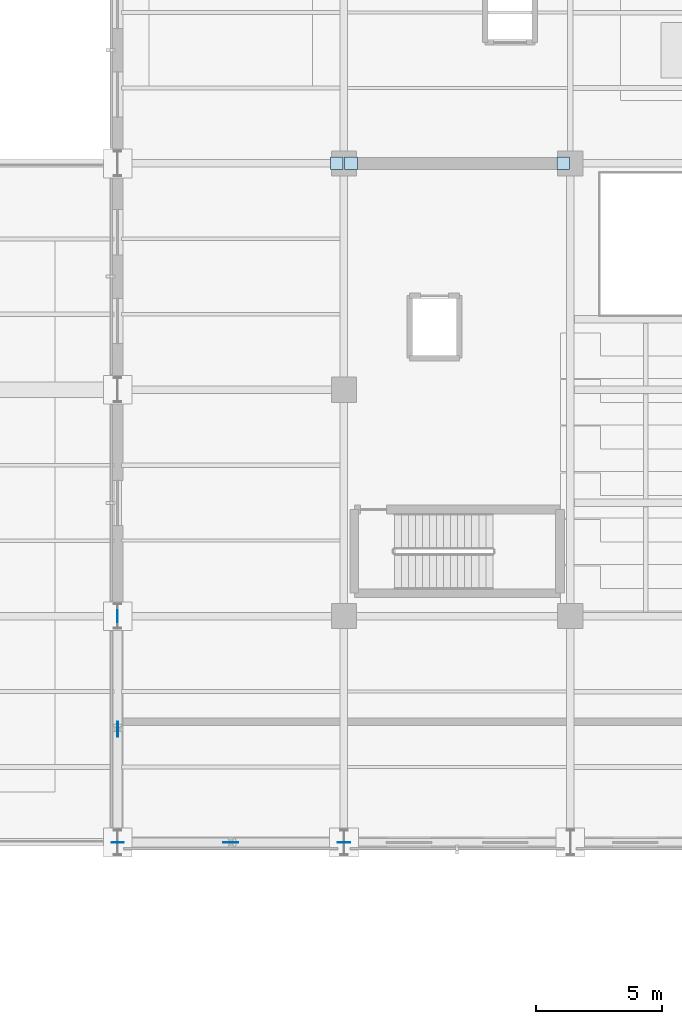
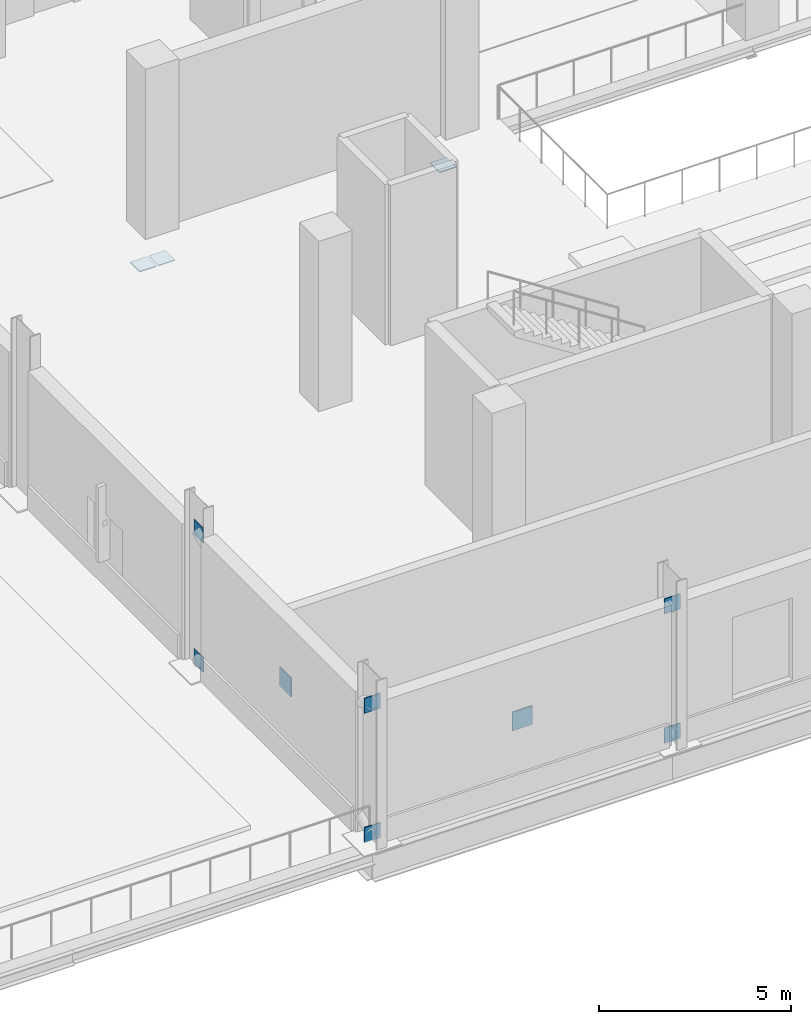
# One storey, part 106 of 141: 11 plates.
"""IFC4 building model written with IfcOpenShell, lengths in metres."""

from ifc_helpers import new_model, si_unit, direction, frame, origin, origin_2d, place, context, subcontext, project, spatial, rectangle, extrude, material, layer, layer_set, type_object, element, save


model = new_model("IFC4")

# Units and contexts
model_context = context("Model", 3, precision=1e-05, world=origin(), true_north=direction((0.0, 1.0)))
body_context = subcontext(model_context, "Body", "Model", "MODEL_VIEW")
ifc_project = project(units=[si_unit("LENGTHUNIT", "METRE"), si_unit("AREAUNIT", "SQUARE_METRE"), si_unit("VOLUMEUNIT", "CUBIC_METRE"), si_unit("PLANEANGLEUNIT", "RADIAN"), si_unit("MASSUNIT", "GRAM", prefix="KILO")], contexts=[model_context])

# Site, building, storey
site_placement = place(None, origin())
site = spatial("IfcSite", under=ifc_project, at=site_placement, CompositionType="ELEMENT")
building_placement = place(site_placement, origin())
building = spatial("IfcBuilding", under=site, at=building_placement, Name="Sundgate Opera House", CompositionType="ELEMENT")
storey_placement = place(building_placement, frame((0.0, 0.0, 11.39990234375)))
storey = spatial("IfcBuildingStorey", under=building, at=storey_placement, Name="L02", CompositionType="ELEMENT", Elevation=11.39990234375)

# Plates
ifc_material_1 = material(Name="Steel S355J2", Category="steel")
ifc_layer_1 = layer(ifc_material_1, 0.02490234375)
ifc_layer_set_1 = layer_set([ifc_layer_1], Name="Steel S355J2")
plate_type_1 = type_object("IfcPlateType", Name="PT-EMB-25", PredefinedType="USERDEFINED", material=ifc_layer_set_1)
for number, where, z_axis, x_axis, name in (
    (1, (35.719970703125, 60.0, -1.1748046875), (0.0, 0.0, 1.0), (1.0, 0.0, 0.0), "L02 Outrigger Core Wall Cast-In Embedment Plate PT0452"),
    (2, (36.280029296875, 60.0, -1.1748046875), (0.0, 0.0, 1.0), (1.0, 0.0, 0.0), "L02 Outrigger Core Wall Cast-In Embedment Plate PT0453"),
    (3, (44.719970703125, 60.0, -1.1748046875), (0.0, 0.0, 1.0), (1.0, 0.0, 0.0), "L02 Outrigger Core Wall Cast-In Embedment Plate PT0454"),
):
    element("IfcPlate", number, at=place(storey_placement, frame(where, z_axis=z_axis, x_axis=x_axis)), inside=storey, type_object=plate_type_1, Name=name, ObjectType="BASE PLATE", PredefinedType="USERDEFINED", context=body_context, shape_type="SweptSolid", body=[
        extrude(rectangle(XDim=0.5, YDim=0.5, at=origin_2d()), origin(), (0.0, 0.0, 1.0), 0.02490234375),
    ])
ifc_material_2 = material(Name="Steel S355J2", Category="steel")
ifc_layer_2 = layer(ifc_material_2, 0.028076171875)
ifc_layer_set_2 = layer_set([ifc_layer_2], Name="Steel S355J2")
plate_type_2 = type_object("IfcPlateType", Name="PT-GUS-28", PredefinedType="USERDEFINED", material=ifc_layer_set_2)
for number, where, z_axis, x_axis, name in (
    (4, (27.0, 33.0, 0.010009765625), (0.0, 0.0, 1.0), (1.0, 0.0, 0.0), "L02 Belt-Truss End Gusset"),
    (5, (36.0, 33.0, 4.110107421875), (0.0, 0.0, 1.0), (1.0, 0.0, 0.0), "L02 Belt-Truss End Gusset"),
    (6, (36.0, 33.0, 0.010009765625), (0.0, 0.0, 1.0), (1.0, 0.0, 0.0), "L02 Belt-Truss End Gusset"),
    (7, (27.0, 33.0, 4.110107421875), (0.0, 0.0, 1.0), (1.0, 0.0, 0.0), "L02 Belt-Truss End Gusset"),
):
    element("IfcPlate", number, at=place(storey_placement, frame(where, z_axis=z_axis, x_axis=x_axis)), inside=storey, type_object=plate_type_2, Name=name, ObjectType="GUSSET PLATE", PredefinedType="USERDEFINED", context=body_context, shape_type="SweptSolid", body=[
        extrude(rectangle(XDim=0.47998046875, YDim=0.028076171875, at=origin_2d()), origin(), (0.0, 0.0, 1.0), 0.47998046875),
    ])
for number, where, z_axis, x_axis, name in (
    (8, (27.0, 42.0, 4.110107421875), (0.0, 0.0, 1.0), (1.0, 0.0, 0.0), "L02 Belt-Truss End Gusset"),
    (9, (27.0, 42.0, 0.010009765625), (0.0, 0.0, 1.0), (1.0, 0.0, 0.0), "L02 Belt-Truss End Gusset"),
):
    element("IfcPlate", number, at=place(storey_placement, frame(where, z_axis=z_axis, x_axis=x_axis)), inside=storey, type_object=plate_type_2, Name=name, ObjectType="GUSSET PLATE", PredefinedType="USERDEFINED", context=body_context, shape_type="SweptSolid", body=[
        extrude(rectangle(XDim=0.028076171875, YDim=0.47998046875, at=origin_2d()), origin(), (0.0, 0.0, 1.0), 0.47998046875),
    ])
ifc_material_3 = material(Name="Steel S355J2", Category="steel")
ifc_layer_3 = layer(ifc_material_3, 0.031982421875)
ifc_layer_set_3 = layer_set([ifc_layer_3], Name="Steel S355J2")
plate_type_3 = type_object("IfcPlateType", Name="PT-GUS-32", PredefinedType="USERDEFINED", material=ifc_layer_set_3)
plate_1_placement = place(storey_placement, frame((31.5, 33.0, 2.0), z_axis=(0.0, 0.0, 1.0), x_axis=(1.0, 0.0, 0.0)))
element("IfcPlate", 10, at=plate_1_placement, inside=storey, type_object=plate_type_3, Name="L02 Belt-Truss Central Crossing Gusset", ObjectType="GUSSET PLATE", PredefinedType="USERDEFINED", context=body_context, shape_type="SweptSolid", body=[
    extrude(rectangle(XDim=0.60009765625, YDim=0.031982421875, at=origin_2d()), origin(), (0.0, 0.0, 1.0), 0.60009765625),
])
plate_2_placement = place(storey_placement, frame((27.0, 37.5, 2.0), z_axis=(0.0, 0.0, 1.0), x_axis=(1.0, 0.0, 0.0)))
element("IfcPlate", 11, at=plate_2_placement, inside=storey, type_object=plate_type_3, Name="L02 Belt-Truss Central Crossing Gusset", ObjectType="GUSSET PLATE", PredefinedType="USERDEFINED", context=body_context, shape_type="SweptSolid", body=[
    extrude(rectangle(XDim=0.031982421875, YDim=0.60009765625, at=origin_2d()), origin(), (0.0, 0.0, 1.0), 0.60009765625),
])

save(model, "model.ifc")
